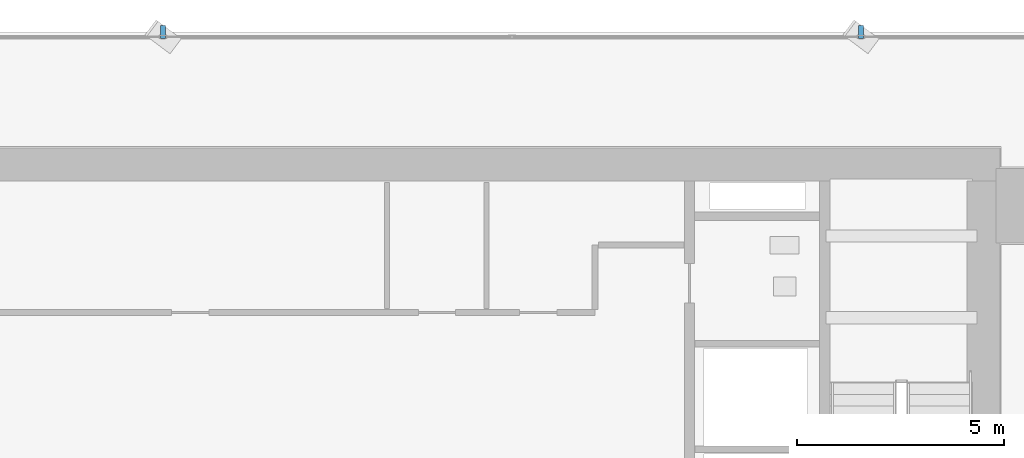
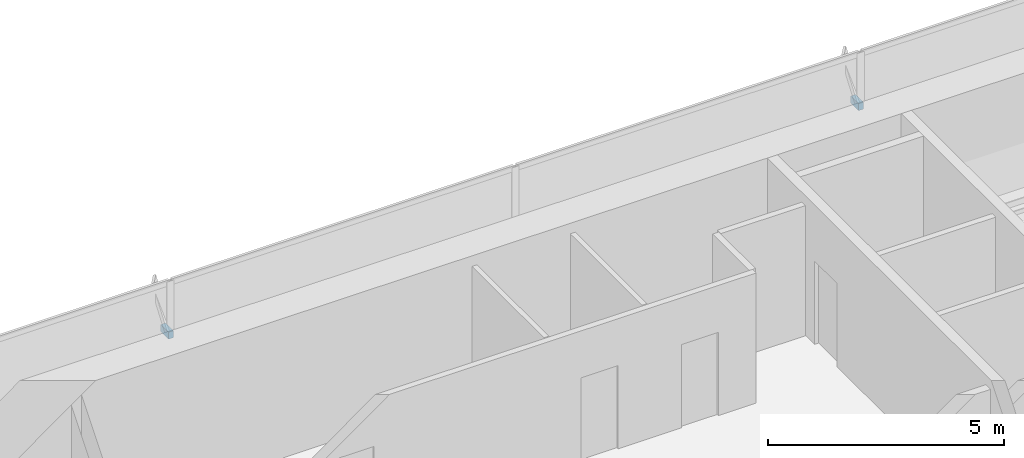
# One storey, part 27 of 32: 2 discrete accessories.
"""IFC4 building model written with IfcOpenShell, lengths in metres."""

import ifcopenshell
import ifcopenshell.guid

model = None  # the IFC model being written
_history = None  # IfcOwnerHistory: only IFC2X3 demands one
_inside = {}  # id of a spatial element -> (the spatial element, [elements in it])
_under = {}  # id of a project, library or spatial element -> (it, [spatial elements below it])
_declared = {}  # id of a project -> (the project, [libraries it declares])
_typed = {}  # id of a type object -> (the type object, [elements of that type])
_made_of = {}  # id of a material, layer set ... -> (it, [elements and type objects made of it])


def new_model(schema):
    """Start an empty IFC model of exactly this schema.

    Asked for "IFC4X3", IfcOpenShell would pick the latest addendum, in which some entities
    have other attributes; the version numbers below select the first issue.
    IFC2X3 requires an IfcOwnerHistory on every rooted entity: one is made here for all.
    """
    global model, _history
    if schema == "IFC4X3":
        model = ifcopenshell.file(schema_version=(4, 3, 0, 0))
    else:
        model = ifcopenshell.file(schema=schema)
    _inside.clear()
    _under.clear()
    _declared.clear()
    _typed.clear()
    _made_of.clear()
    _history = None
    if model.schema == "IFC2X3":
        org = make("IfcOrganization", Name="unknown")
        user = make(
            "IfcPersonAndOrganization",
            ThePerson=make("IfcPerson", FamilyName="unknown"),
            TheOrganization=org,
        )
        app = make(
            "IfcApplication",
            ApplicationDeveloper=org,
            Version="unknown",
            ApplicationFullName="unknown",
            ApplicationIdentifier="unknown",
        )
        _history = make(
            "IfcOwnerHistory",
            OwningUser=user,
            OwningApplication=app,
            ChangeAction="ADDED",
            CreationDate=0,
        )
    return model


def make(cls, **values):
    """One entity of the class cls with the attributes given. An attribute that is None is left unset."""
    return model.create_entity(
        cls, **{name: value for name, value in values.items() if value is not None}
    )


def rooted(cls, **values):
    """An entity with a GlobalId (a new one), such as an element, a storey or a relation."""
    return make(cls, GlobalId=ifcopenshell.guid.new(), OwnerHistory=_history, **values)


def si_unit(unit_type, name, prefix=None):
    """IfcSIUnit, for example si_unit("LENGTHUNIT", "METRE", prefix="MILLI")."""
    return make("IfcSIUnit", UnitType=unit_type, Prefix=prefix, Name=name)


def assignment(units):
    """IfcUnitAssignment: the units of a project."""
    return None if units is None else make("IfcUnitAssignment", Units=units)


def point(xyz):
    """IfcCartesianPoint."""
    return None if xyz is None else make("IfcCartesianPoint", Coordinates=xyz)


def direction(xyz):
    """IfcDirection."""
    return None if xyz is None else make("IfcDirection", DirectionRatios=xyz)


def frame(location, z_axis=None, x_axis=None):
    """IfcAxis2Placement3D, a coordinate frame: its origin and axes. An axis left out is left unset."""
    return make(
        "IfcAxis2Placement3D",
        Location=point(location),
        Axis=direction(z_axis),
        RefDirection=direction(x_axis),
    )


def frame_2d(location, x_axis=None):
    """IfcAxis2Placement2D, a coordinate frame in the plane: its origin and x axis."""
    return make(
        "IfcAxis2Placement2D", Location=point(location), RefDirection=direction(x_axis)
    )


def origin():
    """The frame at (0, 0, 0) with its axes left unset."""
    return frame((0.0, 0.0, 0.0))


def origin_2d():
    """The frame at (0, 0) in the plane with its x axis left unset."""
    return frame_2d((0.0, 0.0))


def place(relative_to, where):
    """IfcLocalPlacement: puts the frame where relative to a parent placement (None: the world)."""
    return make(
        "IfcLocalPlacement", PlacementRelTo=relative_to, RelativePlacement=where
    )


def context(
    kind, dimensions, precision=None, world=None, true_north=None, identifier=None
):
    """IfcGeometricRepresentationContext, for example the 3D "Model" context."""
    return make(
        "IfcGeometricRepresentationContext",
        ContextIdentifier=identifier,
        ContextType=kind,
        CoordinateSpaceDimension=dimensions,
        Precision=precision,
        WorldCoordinateSystem=world,
        TrueNorth=true_north,
    )


def subcontext(parent, identifier, kind, view, scale=None):
    """IfcGeometricRepresentationSubContext, for example "Body" below "Model"."""
    return make(
        "IfcGeometricRepresentationSubContext",
        ContextIdentifier=identifier,
        ContextType=kind,
        ParentContext=parent,
        TargetScale=scale,
        TargetView=view,
    )


def project(units=None, contexts=None):
    """IfcProject with its units and contexts."""
    return rooted(
        "IfcProject",
        Name="project",
        RepresentationContexts=contexts,
        UnitsInContext=assignment(units),
    )


def spatial(cls, under=None, at=None, **own):
    """A site, building, storey or space (cls), placed at a placement, below another one or the project."""
    s = rooted(cls, ObjectPlacement=at, **own)
    if under is not None:
        _under.setdefault(under.id(), (under, []))[1].append(s)
    return s


def profile(cls, at=None, kind="AREA", **sizes):
    """A parametric profile (cls). Its sizes go by their IFC names, for example OverallWidth=200.0."""
    return make(cls, ProfileType=kind, Position=at, **sizes)


def rectangle(**sizes):
    """IfcRectangleProfileDef."""
    return profile("IfcRectangleProfileDef", **sizes)


def extrude(swept, where, along, depth):
    """IfcExtrudedAreaSolid: the profile swept, set in the frame where, extruded along a direction by depth."""
    return make(
        "IfcExtrudedAreaSolid",
        SweptArea=swept,
        Position=where,
        ExtrudedDirection=direction(along),
        Depth=depth,
    )


def shape(context_of_items, identifier, shape_type, items):
    """IfcShapeRepresentation: the items that make up one representation, for example the "Body"."""
    return make(
        "IfcShapeRepresentation",
        ContextOfItems=context_of_items,
        RepresentationIdentifier=identifier,
        RepresentationType=shape_type,
        Items=items,
    )


def source(mapping_origin, context_of_items, identifier, shape_type, items):
    """IfcRepresentationMap: a shape defined once, which mapped items show again and again."""
    return make(
        "IfcRepresentationMap",
        MappingOrigin=mapping_origin,
        MappedRepresentation=shape(context_of_items, identifier, shape_type, items),
    )


def transform(
    local_origin,
    x_axis=None,
    y_axis=None,
    z_axis=None,
    scale=None,
    scale2=None,
    scale3=None,
    uniform=True,
):
    """IfcCartesianTransformationOperator3D, or its non-uniform kind. x_axis, y_axis, z_axis: its Axis1, 2, 3."""
    if uniform:
        return make(
            "IfcCartesianTransformationOperator3D",
            Axis1=direction(x_axis),
            Axis2=direction(y_axis),
            LocalOrigin=point(local_origin),
            Scale=scale,
            Axis3=direction(z_axis),
        )
    return make(
        "IfcCartesianTransformationOperator3DnonUniform",
        Axis1=direction(x_axis),
        Axis2=direction(y_axis),
        LocalOrigin=point(local_origin),
        Scale=scale,
        Axis3=direction(z_axis),
        Scale2=scale2,
        Scale3=scale3,
    )


def mapped(mapping_source, mapping_target):
    """IfcMappedItem: shows the shape of a source again, moved by a transform."""
    return make(
        "IfcMappedItem", MappingSource=mapping_source, MappingTarget=mapping_target
    )


def material(Name=None, Category=None):
    """IfcMaterial."""
    return make("IfcMaterial", Name=Name, Category=Category)


def material_profile(
    of_material, cross_section, Name=None, Category=None, Priority=None
):
    """IfcMaterialProfile: a cross section and its material."""
    return make(
        "IfcMaterialProfile",
        Name=Name,
        Material=of_material,
        Profile=cross_section,
        Priority=Priority,
        Category=Category,
    )


def profile_set(profiles, Name=None, composite=None):
    """IfcMaterialProfileSet."""
    return make(
        "IfcMaterialProfileSet",
        Name=Name,
        MaterialProfiles=profiles,
        CompositeProfile=composite,
    )


def made_of(thing, what):
    """Note that an element or type object is made of a material, layer set ...; save() writes the relation."""
    if what is not None:
        _made_of.setdefault(what.id(), (what, []))[1].append(thing)
    return thing


def type_object(cls, material=None, **own):
    """A type object (cls), such as IfcWallType, which elements share."""
    return made_of(rooted(cls, **own), material)


def element(
    cls,
    number,
    at=None,
    inside=None,
    cuts=None,
    type_object=None,
    material=None,
    context=None,
    identifier="Body",
    shape_type=None,
    held_by="IfcProductDefinitionShape",
    body=None,
    shapes=None,
    **own,
):
    """One element of the class cls, such as IfcWall. Its Tag is "e" and its number.

    at: its placement. inside: the storey or other place that contains it. cuts: it is an
    opening in that element (IfcRelVoidsElement). A single representation is given by context,
    identifier, shape_type and body (its items); several are given by shapes. held_by: the class
    of the entity that holds the representations. save() writes the other relations.
    """
    e = rooted(cls, Tag="e%d" % number, ObjectPlacement=at, **own)
    if body is not None:
        shapes = [shape(context, identifier, shape_type, body)]
    if shapes is not None:
        e.Representation = make(held_by, Representations=shapes)
    if inside is not None:
        _inside.setdefault(inside.id(), (inside, []))[1].append(e)
    if cuts is not None:
        rooted(
            "IfcRelVoidsElement", RelatingBuildingElement=cuts, RelatedOpeningElement=e
        )
    if type_object is not None:
        _typed.setdefault(type_object.id(), (type_object, []))[1].append(e)
    return made_of(e, material)


def aggregate(whole, parts):
    """IfcRelAggregates: a whole, such as a stair, and the parts it consists of."""
    return rooted("IfcRelAggregates", RelatingObject=whole, RelatedObjects=parts)


def save(model, path):
    """Write the relations noted so far, then the file.

    IfcRelAggregates (storeys below a building ...), IfcRelContainedInSpatialStructure (elements
    in a storey), IfcRelDefinesByType, IfcRelAssociatesMaterial and IfcRelDeclares: one each for
    every whole, place, type object, material and project.
    """
    for whole, parts in _under.values():
        aggregate(whole, parts)
    for where, things in _inside.values():
        rooted(
            "IfcRelContainedInSpatialStructure",
            RelatedElements=things,
            RelatingStructure=where,
        )
    for kind, things in _typed.values():
        rooted("IfcRelDefinesByType", RelatedObjects=things, RelatingType=kind)
    for what, things in _made_of.values():
        rooted("IfcRelAssociatesMaterial", RelatedObjects=things, RelatingMaterial=what)
    for by, libraries in _declared.values():
        rooted("IfcRelDeclares", RelatingContext=by, RelatedDefinitions=libraries)
    model.write(path)


model = new_model("IFC4")

# Units and contexts
model_context = context("Model", 3, precision=1e-05, world=origin(), true_north=direction((0.0, 1.0)))
body_context = subcontext(model_context, "Body", "Model", "MODEL_VIEW")
ifc_project = project(units=[si_unit("LENGTHUNIT", "METRE"), si_unit("AREAUNIT", "SQUARE_METRE"), si_unit("VOLUMEUNIT", "CUBIC_METRE"), si_unit("PLANEANGLEUNIT", "RADIAN"), si_unit("MASSUNIT", "GRAM", prefix="KILO")], contexts=[model_context])

# Site, building, storey
site_placement = place(None, origin())
site = spatial("IfcSite", under=ifc_project, at=site_placement, CompositionType="ELEMENT")
building_placement = place(site_placement, origin())
building = spatial("IfcBuilding", under=site, at=building_placement, Name="Sumidabori Civic Tower", CompositionType="ELEMENT")
storey_placement = place(building_placement, frame((0.0, 0.0, 45.199951171875)))
storey = spatial("IfcBuildingStorey", under=building, at=storey_placement, Name="L11", CompositionType="ELEMENT", Elevation=45.199951171875)

# Discrete accessories
ifc_material = material(Name="Stainless Steel Hairline Finish", Category="steel")
ifc_material_profile = material_profile(ifc_material, rectangle(XDim=0.1201171875, YDim=0.179931640625, at=origin_2d()), Name="STEEL BRACKET 180x120")
ifc_profile_set = profile_set([ifc_material_profile], Name="Stainless Steel Hairline Finish")
discrete_accessory_type = type_object("IfcDiscreteAccessoryType", Name="AC-BRK-180", PredefinedType="BRACKET", material=ifc_profile_set)
shared_shape = source(origin(), body_context, "Body", "SweptSolid", [
    extrude(rectangle(XDim=0.1201171875, YDim=0.179931640625, at=origin_2d()), origin(), (0.0, 0.0, 1.0), 0.329833984375),
])
for number, where, z_axis, x_axis, name in (
    (1, (12.64208984375, 26.830078125, 1.360107421875), (0.0, 1.0, 0.0), (-1.0, 0.0, 0.0), "Bronze Fin Fixing Bracket L11-01"),
    (2, (-4.214111328125, 26.830078125, 1.360107421875), (0.0, 1.0, 0.0), (-1.0, 0.0, 0.0), "Bronze Fin Fixing Bracket L11-03"),
):
    element("IfcDiscreteAccessory", number, at=place(storey_placement, frame(where, z_axis=z_axis, x_axis=x_axis)), inside=storey, type_object=discrete_accessory_type, Name=name, PredefinedType="BRACKET", context=body_context, shape_type="MappedRepresentation", body=[
        mapped(shared_shape, transform((0.0, 0.0, 0.0), x_axis=(1.0, 0.0, 0.0), y_axis=(0.0, 1.0, 0.0), z_axis=(0.0, 0.0, 1.0), scale=1.0)),
    ])

save(model, "model.ifc")
